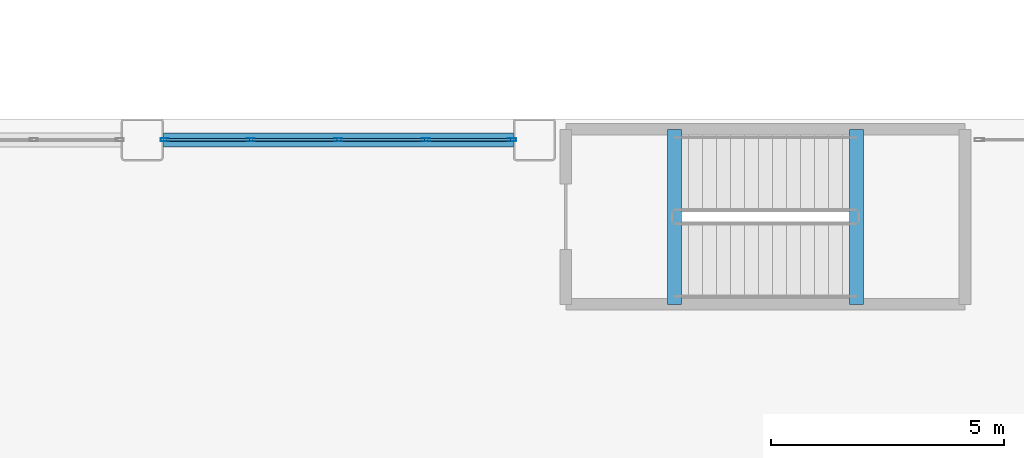
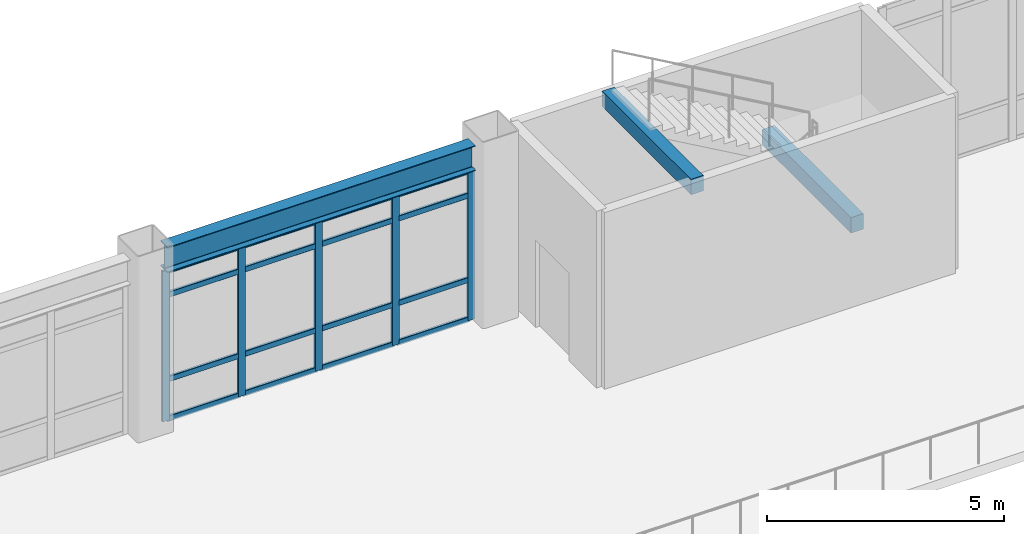
# One storey, part 72 of 172: 21 members, 3 beams, 1 element without a shape of its own.
"""IFC4 building model written with IfcOpenShell, lengths in metres."""

from ifc_helpers import new_model, si_unit, direction, frame, origin, origin_2d, place, context, subcontext, project, spatial, rectangle, hollow_rectangle, i_section, extrude, material, layer, layer_set, material_profile, profile_set, type_object, element, aggregate, save


model = new_model("IFC4")

# Units and contexts
model_context = context("Model", 3, precision=1e-05, world=origin(), true_north=direction((0.0, 1.0)))
body_context = subcontext(model_context, "Body", "Model", "MODEL_VIEW")
ifc_project = project(units=[si_unit("LENGTHUNIT", "METRE"), si_unit("AREAUNIT", "SQUARE_METRE"), si_unit("VOLUMEUNIT", "CUBIC_METRE"), si_unit("PLANEANGLEUNIT", "RADIAN"), si_unit("MASSUNIT", "GRAM", prefix="KILO")], contexts=[model_context])

# Site, building, storey
site_placement = place(None, origin())
site = spatial("IfcSite", under=ifc_project, at=site_placement, CompositionType="ELEMENT")
building_placement = place(site_placement, origin())
building = spatial("IfcBuilding", under=site, at=building_placement, Name="Kazehara Bluff Congress Hotel", CompositionType="ELEMENT")
storey_placement = place(building_placement, frame((0.0, 0.0, 5.39990234375)))
storey = spatial("IfcBuildingStorey", under=building, at=storey_placement, Name="L01", CompositionType="ELEMENT", Elevation=5.39990234375)

# Curtain wall, members
ifc_material_1 = material(Name="Anodised aluminium", Category="aluminium")
ifc_layer = layer(ifc_material_1, 0.159912109375)
ifc_layer_set = layer_set([ifc_layer], Name="Anodised aluminium")
curtain_wall_type = type_object("IfcCurtainWallType", Name="TP-CW-08", PredefinedType="NOTDEFINED", material=ifc_layer_set)
curtain_wall_placement = place(storey_placement, origin())
curtain_wall = element("IfcCurtainWall", 1, at=curtain_wall_placement, inside=storey, type_object=curtain_wall_type, Name="L01 curtain wall CW-08 CW-V1-L01-Y11355-3405", PredefinedType="NOTDEFINED")
ifc_material_2 = material(Name="Anodised aluminium", Category="aluminium")
ifc_material_profile_1 = material_profile(ifc_material_2, hollow_rectangle(XDim=0.06494140625, YDim=0.179931640625, WallThickness=0.00390625, InnerFilletRadius=0.00390625, OuterFilletRadius=0.008056640625, at=origin_2d()))
ifc_profile_set_1 = profile_set([ifc_material_profile_1], Name="Anodised aluminium")
member_type_1 = type_object("IfcMemberType", Name="TP-CWM-02", PredefinedType="MULLION", material=ifc_profile_set_1)
member_1_placement = place(storey_placement, frame((34.08251953125, 113.550048828125, 0.0), z_axis=(0.0, 0.0, 1.0), x_axis=(0.0, 1.0, 0.0)))
member_1 = element("IfcMember", 2, at=member_1_placement, type_object=member_type_1, Name="CW-08 mullion 1", PredefinedType="MULLION", context=body_context, shape_type="SweptSolid", body=[
    extrude(hollow_rectangle(XDim=0.06494140625, YDim=0.179931640625, WallThickness=0.00390625, InnerFilletRadius=0.00390625, OuterFilletRadius=0.008056640625, at=origin_2d()), origin(), (0.0, 0.0, 1.0), 3.875),
])
member_2_placement = place(storey_placement, frame((35.925048828125, 113.550048828125, 0.0), z_axis=(0.0, 0.0, 1.0), x_axis=(0.0, 1.0, 0.0)))
member_2 = element("IfcMember", 3, at=member_2_placement, type_object=member_type_1, Name="CW-08 mullion 2", PredefinedType="MULLION", context=body_context, shape_type="SweptSolid", body=[
    extrude(hollow_rectangle(XDim=0.06494140625, YDim=0.179931640625, WallThickness=0.00390625, InnerFilletRadius=0.00390625, OuterFilletRadius=0.008056640625, at=origin_2d()), origin(), (0.0, 0.0, 1.0), 3.875),
])
member_3_placement = place(storey_placement, frame((37.800048828125, 113.550048828125, 0.0), z_axis=(0.0, 0.0, 1.0), x_axis=(0.0, 1.0, 0.0)))
member_3 = element("IfcMember", 4, at=member_3_placement, type_object=member_type_1, Name="CW-08 mullion 3", PredefinedType="MULLION", context=body_context, shape_type="SweptSolid", body=[
    extrude(hollow_rectangle(XDim=0.06494140625, YDim=0.179931640625, WallThickness=0.00390625, InnerFilletRadius=0.00390625, OuterFilletRadius=0.008056640625, at=origin_2d()), origin(), (0.0, 0.0, 1.0), 3.875),
])
member_4_placement = place(storey_placement, frame((39.675048828125, 113.550048828125, 0.0), z_axis=(0.0, 0.0, 1.0), x_axis=(0.0, 1.0, 0.0)))
member_4 = element("IfcMember", 5, at=member_4_placement, type_object=member_type_1, Name="CW-08 mullion 4", PredefinedType="MULLION", context=body_context, shape_type="SweptSolid", body=[
    extrude(hollow_rectangle(XDim=0.06494140625, YDim=0.179931640625, WallThickness=0.00390625, InnerFilletRadius=0.00390625, OuterFilletRadius=0.008056640625, at=origin_2d()), origin(), (0.0, 0.0, 1.0), 3.875),
])
member_5_placement = place(storey_placement, frame((41.517578125, 113.550048828125, 0.0), z_axis=(0.0, 0.0, 1.0), x_axis=(0.0, 1.0, 0.0)))
member_5 = element("IfcMember", 6, at=member_5_placement, type_object=member_type_1, Name="CW-08 mullion 5", PredefinedType="MULLION", context=body_context, shape_type="SweptSolid", body=[
    extrude(hollow_rectangle(XDim=0.06494140625, YDim=0.179931640625, WallThickness=0.00390625, InnerFilletRadius=0.00390625, OuterFilletRadius=0.008056640625, at=origin_2d()), origin(), (0.0, 0.0, 1.0), 3.875),
])
ifc_material_3 = material(Name="Anodised aluminium", Category="aluminium")
ifc_material_profile_2 = material_profile(ifc_material_3, hollow_rectangle(XDim=0.06494140625, YDim=0.139892578125, WallThickness=0.00390625, InnerFilletRadius=0.00390625, OuterFilletRadius=0.008056640625, at=origin_2d()))
ifc_profile_set_2 = profile_set([ifc_material_profile_2], Name="Anodised aluminium")
member_type_2 = type_object("IfcMemberType", Name="TP-CWT-02", PredefinedType="USERDEFINED", material=ifc_profile_set_2)
member_6_placement = place(storey_placement, frame((34.114990234375, 113.550048828125, 0.03271484375), z_axis=(1.0, 0.0, 0.0), x_axis=(0.0, 1.0, 0.0)))
member_6 = element("IfcMember", 7, at=member_6_placement, type_object=member_type_2, Name="CW-08 transom 1.1", ObjectType="TRANSOM", PredefinedType="USERDEFINED", context=body_context, shape_type="SweptSolid", body=[
    extrude(hollow_rectangle(XDim=0.06494140625, YDim=0.139892578125, WallThickness=0.00390625, InnerFilletRadius=0.00390625, OuterFilletRadius=0.008056640625, at=origin_2d()), origin(), (0.0, 0.0, 1.0), 1.777587890625),
])
member_7_placement = place(storey_placement, frame((34.114990234375, 113.550048828125, 1.050048828125), z_axis=(1.0, 0.0, 0.0), x_axis=(0.0, 1.0, 0.0)))
member_7 = element("IfcMember", 8, at=member_7_placement, type_object=member_type_2, Name="CW-08 transom 1.2", ObjectType="TRANSOM", PredefinedType="USERDEFINED", context=body_context, shape_type="SweptSolid", body=[
    extrude(hollow_rectangle(XDim=0.06494140625, YDim=0.139892578125, WallThickness=0.00390625, InnerFilletRadius=0.00390625, OuterFilletRadius=0.008056640625, at=origin_2d()), origin(), (0.0, 0.0, 1.0), 1.777587890625),
])
member_8_placement = place(storey_placement, frame((34.114990234375, 113.550048828125, 3.22509765625), z_axis=(1.0, 0.0, 0.0), x_axis=(0.0, 1.0, 0.0)))
member_8 = element("IfcMember", 9, at=member_8_placement, type_object=member_type_2, Name="CW-08 transom 1.3", ObjectType="TRANSOM", PredefinedType="USERDEFINED", context=body_context, shape_type="SweptSolid", body=[
    extrude(hollow_rectangle(XDim=0.06494140625, YDim=0.139892578125, WallThickness=0.00390625, InnerFilletRadius=0.00390625, OuterFilletRadius=0.008056640625, at=origin_2d()), origin(), (0.0, 0.0, 1.0), 1.777587890625),
])
member_9_placement = place(storey_placement, frame((34.114990234375, 113.550048828125, 3.842529296875), z_axis=(1.0, 0.0, 0.0), x_axis=(0.0, 1.0, 0.0)))
member_9 = element("IfcMember", 10, at=member_9_placement, type_object=member_type_2, Name="CW-08 transom 1.4", ObjectType="TRANSOM", PredefinedType="USERDEFINED", context=body_context, shape_type="SweptSolid", body=[
    extrude(hollow_rectangle(XDim=0.06494140625, YDim=0.139892578125, WallThickness=0.00390625, InnerFilletRadius=0.00390625, OuterFilletRadius=0.008056640625, at=origin_2d()), origin(), (0.0, 0.0, 1.0), 1.777587890625),
])
member_10_placement = place(storey_placement, frame((35.95751953125, 113.550048828125, 0.03271484375), z_axis=(1.0, 0.0, 0.0), x_axis=(0.0, 1.0, 0.0)))
member_10 = element("IfcMember", 11, at=member_10_placement, type_object=member_type_2, Name="CW-08 transom 2.1", ObjectType="TRANSOM", PredefinedType="USERDEFINED", context=body_context, shape_type="SweptSolid", body=[
    extrude(hollow_rectangle(XDim=0.06494140625, YDim=0.139892578125, WallThickness=0.00390625, InnerFilletRadius=0.00390625, OuterFilletRadius=0.008056640625, at=origin_2d()), origin(), (0.0, 0.0, 1.0), 1.81005859375),
])
member_11_placement = place(storey_placement, frame((35.95751953125, 113.550048828125, 1.050048828125), z_axis=(1.0, 0.0, 0.0), x_axis=(0.0, 1.0, 0.0)))
member_11 = element("IfcMember", 12, at=member_11_placement, type_object=member_type_2, Name="CW-08 transom 2.2", ObjectType="TRANSOM", PredefinedType="USERDEFINED", context=body_context, shape_type="SweptSolid", body=[
    extrude(hollow_rectangle(XDim=0.06494140625, YDim=0.139892578125, WallThickness=0.00390625, InnerFilletRadius=0.00390625, OuterFilletRadius=0.008056640625, at=origin_2d()), origin(), (0.0, 0.0, 1.0), 1.81005859375),
])
member_12_placement = place(storey_placement, frame((35.95751953125, 113.550048828125, 3.22509765625), z_axis=(1.0, 0.0, 0.0), x_axis=(0.0, 1.0, 0.0)))
member_12 = element("IfcMember", 13, at=member_12_placement, type_object=member_type_2, Name="CW-08 transom 2.3", ObjectType="TRANSOM", PredefinedType="USERDEFINED", context=body_context, shape_type="SweptSolid", body=[
    extrude(hollow_rectangle(XDim=0.06494140625, YDim=0.139892578125, WallThickness=0.00390625, InnerFilletRadius=0.00390625, OuterFilletRadius=0.008056640625, at=origin_2d()), origin(), (0.0, 0.0, 1.0), 1.81005859375),
])
member_13_placement = place(storey_placement, frame((35.95751953125, 113.550048828125, 3.842529296875), z_axis=(1.0, 0.0, 0.0), x_axis=(0.0, 1.0, 0.0)))
member_13 = element("IfcMember", 14, at=member_13_placement, type_object=member_type_2, Name="CW-08 transom 2.4", ObjectType="TRANSOM", PredefinedType="USERDEFINED", context=body_context, shape_type="SweptSolid", body=[
    extrude(hollow_rectangle(XDim=0.06494140625, YDim=0.139892578125, WallThickness=0.00390625, InnerFilletRadius=0.00390625, OuterFilletRadius=0.008056640625, at=origin_2d()), origin(), (0.0, 0.0, 1.0), 1.81005859375),
])
member_14_placement = place(storey_placement, frame((37.83251953125, 113.550048828125, 0.03271484375), z_axis=(1.0, 0.0, 0.0), x_axis=(0.0, 1.0, 0.0)))
member_14 = element("IfcMember", 15, at=member_14_placement, type_object=member_type_2, Name="CW-08 transom 3.1", ObjectType="TRANSOM", PredefinedType="USERDEFINED", context=body_context, shape_type="SweptSolid", body=[
    extrude(hollow_rectangle(XDim=0.06494140625, YDim=0.139892578125, WallThickness=0.00390625, InnerFilletRadius=0.00390625, OuterFilletRadius=0.008056640625, at=origin_2d()), origin(), (0.0, 0.0, 1.0), 1.81005859375),
])
member_15_placement = place(storey_placement, frame((37.83251953125, 113.550048828125, 1.050048828125), z_axis=(1.0, 0.0, 0.0), x_axis=(0.0, 1.0, 0.0)))
member_15 = element("IfcMember", 16, at=member_15_placement, type_object=member_type_2, Name="CW-08 transom 3.2", ObjectType="TRANSOM", PredefinedType="USERDEFINED", context=body_context, shape_type="SweptSolid", body=[
    extrude(hollow_rectangle(XDim=0.06494140625, YDim=0.139892578125, WallThickness=0.00390625, InnerFilletRadius=0.00390625, OuterFilletRadius=0.008056640625, at=origin_2d()), origin(), (0.0, 0.0, 1.0), 1.81005859375),
])
member_16_placement = place(storey_placement, frame((37.83251953125, 113.550048828125, 3.22509765625), z_axis=(1.0, 0.0, 0.0), x_axis=(0.0, 1.0, 0.0)))
member_16 = element("IfcMember", 17, at=member_16_placement, type_object=member_type_2, Name="CW-08 transom 3.3", ObjectType="TRANSOM", PredefinedType="USERDEFINED", context=body_context, shape_type="SweptSolid", body=[
    extrude(hollow_rectangle(XDim=0.06494140625, YDim=0.139892578125, WallThickness=0.00390625, InnerFilletRadius=0.00390625, OuterFilletRadius=0.008056640625, at=origin_2d()), origin(), (0.0, 0.0, 1.0), 1.81005859375),
])
member_17_placement = place(storey_placement, frame((37.83251953125, 113.550048828125, 3.842529296875), z_axis=(1.0, 0.0, 0.0), x_axis=(0.0, 1.0, 0.0)))
member_17 = element("IfcMember", 18, at=member_17_placement, type_object=member_type_2, Name="CW-08 transom 3.4", ObjectType="TRANSOM", PredefinedType="USERDEFINED", context=body_context, shape_type="SweptSolid", body=[
    extrude(hollow_rectangle(XDim=0.06494140625, YDim=0.139892578125, WallThickness=0.00390625, InnerFilletRadius=0.00390625, OuterFilletRadius=0.008056640625, at=origin_2d()), origin(), (0.0, 0.0, 1.0), 1.81005859375),
])
member_18_placement = place(storey_placement, frame((39.70751953125, 113.550048828125, 0.03271484375), z_axis=(1.0, 0.0, 0.0), x_axis=(0.0, 1.0, 0.0)))
member_18 = element("IfcMember", 19, at=member_18_placement, type_object=member_type_2, Name="CW-08 transom 4.1", ObjectType="TRANSOM", PredefinedType="USERDEFINED", context=body_context, shape_type="SweptSolid", body=[
    extrude(hollow_rectangle(XDim=0.06494140625, YDim=0.139892578125, WallThickness=0.00390625, InnerFilletRadius=0.00390625, OuterFilletRadius=0.008056640625, at=origin_2d()), origin(), (0.0, 0.0, 1.0), 1.777587890625),
])
member_19_placement = place(storey_placement, frame((39.70751953125, 113.550048828125, 1.050048828125), z_axis=(1.0, 0.0, 0.0), x_axis=(0.0, 1.0, 0.0)))
member_19 = element("IfcMember", 20, at=member_19_placement, type_object=member_type_2, Name="CW-08 transom 4.2", ObjectType="TRANSOM", PredefinedType="USERDEFINED", context=body_context, shape_type="SweptSolid", body=[
    extrude(hollow_rectangle(XDim=0.06494140625, YDim=0.139892578125, WallThickness=0.00390625, InnerFilletRadius=0.00390625, OuterFilletRadius=0.008056640625, at=origin_2d()), origin(), (0.0, 0.0, 1.0), 1.777587890625),
])
member_20_placement = place(storey_placement, frame((39.70751953125, 113.550048828125, 3.22509765625), z_axis=(1.0, 0.0, 0.0), x_axis=(0.0, 1.0, 0.0)))
member_20 = element("IfcMember", 21, at=member_20_placement, type_object=member_type_2, Name="CW-08 transom 4.3", ObjectType="TRANSOM", PredefinedType="USERDEFINED", context=body_context, shape_type="SweptSolid", body=[
    extrude(hollow_rectangle(XDim=0.06494140625, YDim=0.139892578125, WallThickness=0.00390625, InnerFilletRadius=0.00390625, OuterFilletRadius=0.008056640625, at=origin_2d()), origin(), (0.0, 0.0, 1.0), 1.777587890625),
])
member_21_placement = place(storey_placement, frame((39.70751953125, 113.550048828125, 3.842529296875), z_axis=(1.0, 0.0, 0.0), x_axis=(0.0, 1.0, 0.0)))
member_21 = element("IfcMember", 22, at=member_21_placement, type_object=member_type_2, Name="CW-08 transom 4.4", ObjectType="TRANSOM", PredefinedType="USERDEFINED", context=body_context, shape_type="SweptSolid", body=[
    extrude(hollow_rectangle(XDim=0.06494140625, YDim=0.139892578125, WallThickness=0.00390625, InnerFilletRadius=0.00390625, OuterFilletRadius=0.008056640625, at=origin_2d()), origin(), (0.0, 0.0, 1.0), 1.777587890625),
])
aggregate(curtain_wall, [member_1, member_2, member_3, member_4, member_5, member_6, member_7, member_8, member_9, member_10, member_11, member_12, member_13, member_14, member_15, member_16, member_17, member_18, member_19, member_20, member_21])

# Beams
ifc_material_4 = material(Name="Steel SN490B", Category="steel")
ifc_material_profile_3 = material_profile(ifc_material_4, i_section(OverallWidth=0.300048828125, OverallDepth=0.64990234375, WebThickness=0.011962890625, FlangeThickness=0.02001953125, FilletRadius=0.012939453125, at=origin_2d()))
ifc_profile_set_3 = profile_set([ifc_material_profile_3], Name="Steel SN490B")
beam_type_1 = type_object("IfcBeamType", Name="TP-G-03", PredefinedType="BEAM", material=ifc_profile_set_3)
beam_placement = place(storey_placement, frame((34.050048828125, 113.550048828125, 4.22509765625), z_axis=(1.0, 0.0, 0.0), x_axis=(0.0, 1.0, 0.0)))
element("IfcBeam", 23, at=beam_placement, inside=storey, type_object=beam_type_1, Name="L01 girder G-03 40", PredefinedType="BEAM", context=body_context, shape_type="SweptSolid", body=[
    extrude(i_section(OverallWidth=0.300048828125, OverallDepth=0.64990234375, WebThickness=0.011962890625, FlangeThickness=0.02001953125, FilletRadius=0.012939453125, at=origin_2d()), origin(), (0.0, 0.0, 1.0), 7.5),
])
ifc_material_5 = material(Name="Concrete C40/50", Category="concrete")
ifc_material_profile_4 = material_profile(ifc_material_5, rectangle(XDim=0.300048828125, YDim=0.39990234375, at=origin_2d()))
ifc_profile_set_4 = profile_set([ifc_material_profile_4], Name="Concrete C40/50")
beam_type_2 = type_object("IfcBeamType", Name="TP-LN-02", PredefinedType="LINTEL", material=ifc_profile_set_4)
for number, where, z_axis, x_axis, name in (
    (24, (48.89990234375, 110.02490234375, 2.02001953125), (0.0, 1.0, 0.0), (-1.0, 0.0, 0.0), "L01 ST-02 half-landing support beam 1"),
    (25, (45.0, 110.02490234375, 4.3701171875), (0.0, 1.0, 0.0), (-1.0, 0.0, 0.0), "L02 ST-02 stairwell trimmer beam"),
):
    element("IfcBeam", number, at=place(storey_placement, frame(where, z_axis=z_axis, x_axis=x_axis)), inside=storey, type_object=beam_type_2, Name=name, PredefinedType="LINTEL", context=body_context, shape_type="SweptSolid", body=[
        extrude(rectangle(XDim=0.300048828125, YDim=0.39990234375, at=origin_2d()), origin(), (0.0, 0.0, 1.0), 3.75),
    ])

save(model, "model.ifc")
